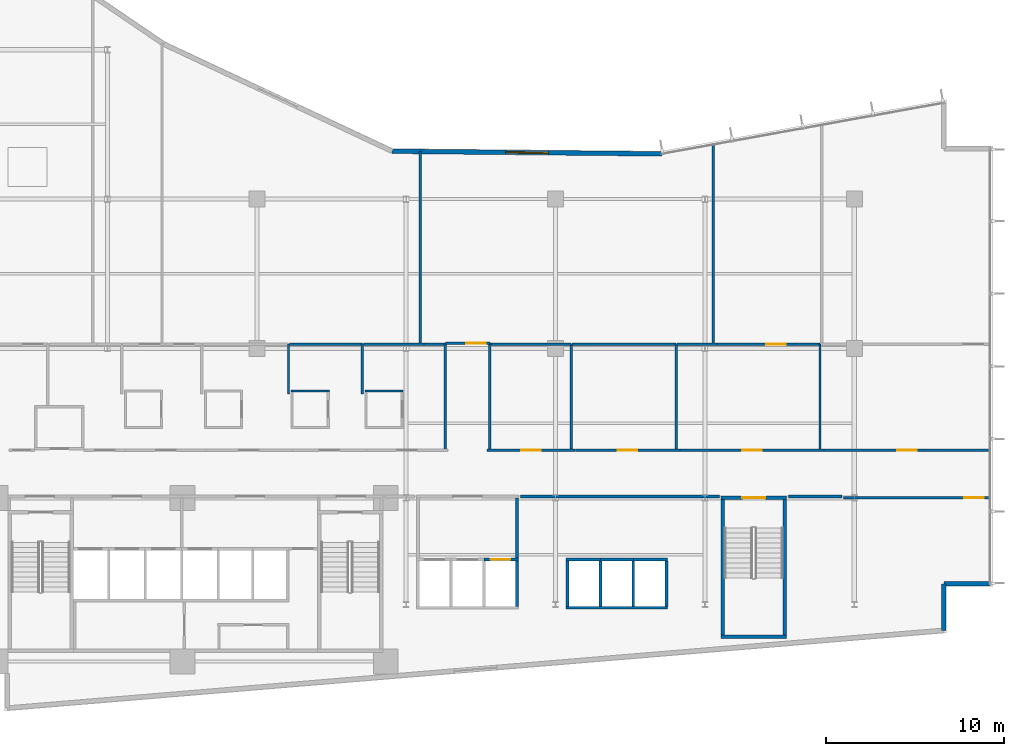
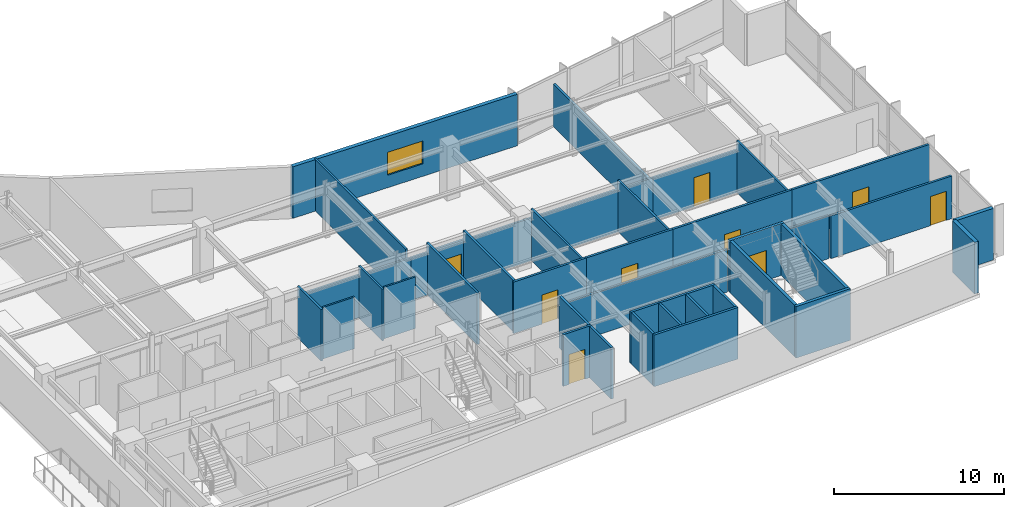
# One storey, part 15 of 21: 44 walls, 9 doors, 1 window, 10 openings.
"""IFC4 building model written with IfcOpenShell, lengths in metres."""

from ifc_helpers import new_model, si_unit, direction, frame, frame_2d, origin, place, context, subcontext, project, spatial, rectangle, extrude, material, layer, layer_set, type_object, element, fill, save


model = new_model("IFC4")

# Units and contexts
model_context = context("Model", 3, precision=1e-05, world=origin(), true_north=direction((0.0, 1.0)))
body_context = subcontext(model_context, "Body", "Model", "MODEL_VIEW")
ifc_project = project(units=[si_unit("LENGTHUNIT", "METRE"), si_unit("AREAUNIT", "SQUARE_METRE"), si_unit("VOLUMEUNIT", "CUBIC_METRE"), si_unit("PLANEANGLEUNIT", "RADIAN"), si_unit("MASSUNIT", "GRAM", prefix="KILO")], contexts=[model_context])

# Site, building, storey
site_placement = place(None, origin())
site = spatial("IfcSite", under=ifc_project, at=site_placement, CompositionType="ELEMENT")
building_placement = place(site_placement, origin())
building = spatial("IfcBuilding", under=site, at=building_placement, Name="Varnakote Quay Hospital", CompositionType="ELEMENT")
storey_placement = place(building_placement, frame((0.0, 0.0, 77.800048828125)))
storey = spatial("IfcBuildingStorey", under=building, at=storey_placement, Name="L19", CompositionType="ELEMENT", Elevation=77.800048828125)

# Walls
ifc_material_1 = material(Name="Fire-rated acoustic gypsum stud wall", Category="gypsum")
ifc_layer_1 = layer(ifc_material_1, 0.159912109375)
ifc_layer_set_1 = layer_set([ifc_layer_1], Name="Fire-rated acoustic gypsum stud wall")
wall_type_1 = type_object("IfcWallType", Name="WL-COMP-160", PredefinedType="PARTITIONING", material=ifc_layer_set_1)
wall_1_placement = place(storey_placement, frame((31.429931640625, 8.610107421875, 0.0), z_axis=(0.0, 0.0, 1.0), x_axis=(0.0, 1.0, 0.0)))
element("IfcWall", 1, at=wall_1_placement, inside=storey, type_object=wall_type_1, Name="L19 Low-Rise Lift Lobby East Wall", PredefinedType="PARTITIONING", context=body_context, shape_type="SweptSolid", body=[
    extrude(rectangle(XDim=3.389892578125, YDim=0.159912109375, at=frame_2d((1.69482421875, 0.0))), origin(), (0.0, 0.0, 1.0), 3.7099609375),
])
wall_2_placement = place(storey_placement, frame((31.6298828125, 12.080078125, 0.0), z_axis=(0.0, 0.0, 1.0), x_axis=(1.0, 0.0, 0.0)))
element("IfcWall", 2, at=wall_2_placement, inside=storey, type_object=wall_type_1, Name="L19 Corridor South Gap Wall", PredefinedType="PARTITIONING", context=body_context, shape_type="SweptSolid", body=[
    extrude(rectangle(XDim=11.180908203125, YDim=0.159912109375, at=frame_2d((5.59033203125, 0.0))), origin(), (0.0, 0.0, 1.0), 3.072998046875),
])
wall_3_placement = place(storey_placement, frame((46.689208984375, 12.080078125, 0.0), z_axis=(0.0, 0.0, 1.0), x_axis=(1.0, 0.0, 0.0)))
element("IfcWall", 3, at=wall_3_placement, inside=storey, type_object=wall_type_1, Name="L19 Corridor South Gap Wall", PredefinedType="PARTITIONING", context=body_context, shape_type="SweptSolid", body=[
    extrude(rectangle(XDim=3.0107421875, YDim=0.159912109375, at=frame_2d((1.50537109375, 0.0))), origin(), (0.0, 0.0, 1.0), 3.072998046875),
])
ifc_material_2 = material(Name="Moisture-resistant bathroom partition", Category="gypsum")
ifc_layer_2 = layer(ifc_material_2, 0.114990234375)
ifc_layer_set_2 = layer_set([ifc_layer_2], Name="Moisture-resistant bathroom partition")
wall_type_2 = type_object("IfcWallType", Name="WL-ENS-115", PredefinedType="PARTITIONING", material=ifc_layer_set_2)
for number, where, z_axis, x_axis, name in (
    (4, (18.72509765625, 18.017578125, 0.0), (0.0, 0.0, 1.0), (1.0, 0.0, 0.0), "L19 Inpatient En-Suite Bathroom 03 N Wall"),
    (5, (22.875, 18.017578125, 0.0), (0.0, 0.0, 1.0), (1.0, 0.0, 0.0), "L19 Inpatient En-Suite Bathroom 04 N Wall"),
):
    element("IfcWall", number, at=place(storey_placement, frame(where, z_axis=z_axis, x_axis=x_axis)), inside=storey, type_object=wall_type_2, Name=name, PredefinedType="PARTITIONING", context=body_context, shape_type="SweptSolid", body=[
        extrude(rectangle(XDim=2.14990234375, YDim=0.114990234375, at=frame_2d((1.074951171875, 0.0))), origin(), (0.0, 0.0, 1.0), 3.7099609375),
    ])
ifc_material_3 = material(Name="Precast concrete N50 (f'c 50 MPa)", Category="concrete")
ifc_layer_3 = layer(ifc_material_3, 0.260009765625)
ifc_layer_set_3 = layer_set([ifc_layer_3], Name="Precast concrete N50 (f'c 50 MPa)")
wall_type_3 = type_object("IfcWallType", Name="WL-EXT-BRICK-260", PredefinedType="STANDARD", material=ifc_layer_set_3)
wall_4_placement = place(storey_placement, frame((55.43994140625, 4.54736328125, 0.0), z_axis=(0.0, 0.0, 1.0), x_axis=(0.0, 1.0, 0.0)))
element("IfcWall", 6, at=wall_4_placement, inside=storey, type_object=wall_type_3, Name="L19 Brick-Faced Precast Exterior Wall", PredefinedType="STANDARD", context=body_context, shape_type="SweptSolid", body=[
    extrude(rectangle(XDim=2.612548828125, YDim=0.260009765625, at=frame_2d((1.30615234375, 0.0))), origin(), (0.0, 0.0, 1.0), 3.7099609375),
])
wall_5_placement = place(storey_placement, frame((55.43994140625, 7.159912109375, 0.0), z_axis=(0.0, 0.0, 1.0), x_axis=(1.0, 0.0, 0.0)))
element("IfcWall", 7, at=wall_5_placement, inside=storey, type_object=wall_type_3, Name="L19 Brick-Faced Precast Exterior Wall", PredefinedType="STANDARD", context=body_context, shape_type="SweptSolid", body=[
    extrude(rectangle(XDim=2.60009765625, YDim=0.260009765625, at=frame_2d((1.300048828125, 0.0))), origin(), (0.0, 0.0, 1.0), 3.7099609375),
])

# Wall, opening, window
wall_6_placement = place(storey_placement, frame((39.589599609375, 31.343994140625, 0.0), z_axis=(0.0, 0.0, 1.0), x_axis=(-0.999952362926, 0.009760731435, 0.0)))
wall_6 = element("IfcWall", 8, at=wall_6_placement, inside=storey, type_object=wall_type_3, Name="L19 Brick-Faced Precast Exterior Wall", PredefinedType="STANDARD", context=body_context, shape_type="SweptSolid", body=[
    extrude(rectangle(XDim=15.1826171875, YDim=0.260009765625, at=frame_2d((7.59130859375, 0.0))), origin(), (0.0, 0.0, 1.0), 3.7099609375),
])
opening_1_placement = place(wall_6_placement, frame((6.391357421875, 0.0, 0.89990234375)))
opening_1 = element("IfcOpeningElement", 9, at=opening_1_placement, cuts=wall_6, Name="Opening WN-0091", PredefinedType="OPENING", context=body_context, shape_type="SweptSolid", body=[
    extrude(rectangle(XDim=2.39990234375, YDim=1.64990234375, at=frame_2d((1.199951171875, 0.824951171875))), frame((0.0, 0.139892578125, 0.0), z_axis=(0.0, -1.0, 0.0), x_axis=(1.0, 0.0, 0.0)), (0.0, 0.0, 1.0), 0.280029296875),
])
ifc_material_4 = material(Name="Double-glazed low-E solar glass", Category="glass")
window_type = type_object("IfcWindowType", Name="WIN-CLIN-2400x1650", PartitioningType="SINGLE_PANEL", PredefinedType="WINDOW", material=ifc_material_4)
window_placement = place(opening_1_placement, origin())
window = element("IfcWindow", 10, at=window_placement, inside=storey, type_object=window_type, Name="L19 Solar-Control Clinical Window", OverallHeight=1.64990234375, OverallWidth=2.39990234375, PartitioningType="SINGLE_PANEL", PredefinedType="WINDOW", context=body_context, shape_type="SweptSolid", body=[
    extrude(rectangle(XDim=2.39990234375, YDim=1.64990234375, at=frame_2d((1.199951171875, 0.824951171875))), frame((0.0, 0.030029296875, 0.0), z_axis=(0.0, -1.0, 0.0), x_axis=(1.0, 0.0, 0.0)), (0.0, 0.0, 1.0), 0.06005859375),
])
fill(opening_1, window)

# Walls
ifc_material_5 = material(Name="Concrete N50 (f'c 50 MPa)", Category="concrete")
ifc_layer_4 = layer(ifc_material_5, 0.14990234375)
ifc_layer_set_4 = layer_set([ifc_layer_4], Name="Concrete N50 (f'c 50 MPa)")
wall_type_4 = type_object("IfcWallType", Name="WL-SHAFT-N50-150", PredefinedType="SHEAR", material=ifc_layer_set_4)
for number, where, z_axis, x_axis, name in (
    (11, (36.125, 5.89990234375, 0.0), (0.0, 0.0, 1.0), (0.0, 1.0, 0.0), "L19 LF-PM1 Hoistway Divider Wall"),
    (12, (37.97509765625, 5.89990234375, 0.0), (0.0, 0.0, 1.0), (0.0, 1.0, 0.0), "L19 LF-PM2 Hoistway Divider Wall"),
):
    element("IfcWall", number, at=place(storey_placement, frame(where, z_axis=z_axis, x_axis=x_axis)), inside=storey, type_object=wall_type_4, Name=name, PredefinedType="SHEAR", context=body_context, shape_type="SweptSolid", body=[
        extrude(rectangle(XDim=2.550048828125, YDim=0.14990234375, at=frame_2d((1.27490234375, 0.0))), origin(), (0.0, 0.0, 1.0), 3.7099609375),
    ])
ifc_material_6 = material(Name="Concrete N50 (f'c 50 MPa)", Category="concrete")
ifc_layer_5 = layer(ifc_material_6, 0.159912109375)
ifc_layer_set_5 = layer_set([ifc_layer_5], Name="Concrete N50 (f'c 50 MPa)")
wall_type_5 = type_object("IfcWallType", Name="WL-SHAFT-N50-160", PredefinedType="SHEAR", material=ifc_layer_set_5)
wall_7_placement = place(storey_placement, frame((31.429931640625, 5.89990234375, 0.0), z_axis=(0.0, 0.0, 1.0), x_axis=(0.0, 1.0, 0.0)))
element("IfcWall", 13, at=wall_7_placement, inside=storey, type_object=wall_type_5, Name="L19 LOW Lift Bank East Shear Wall", PredefinedType="SHEAR", context=body_context, shape_type="SweptSolid", body=[
    extrude(rectangle(XDim=2.550048828125, YDim=0.159912109375, at=frame_2d((1.27490234375, 0.0))), origin(), (0.0, 0.0, 1.0), 3.7099609375),
])

# Wall, opening, door
wall_8_placement = place(storey_placement, frame((29.574951171875, 8.530029296875, 0.0), z_axis=(0.0, 0.0, 1.0), x_axis=(1.0, 0.0, 0.0)))
wall_8 = element("IfcWall", 14, at=wall_8_placement, inside=storey, type_object=wall_type_5, Name="L19 LF-PL3 Hoistway Front Wall", PredefinedType="SHEAR", context=body_context, shape_type="SweptSolid", body=[
    extrude(rectangle(XDim=1.93505859375, YDim=0.159912109375, at=frame_2d((0.967529296875, 0.0))), origin(), (0.0, 0.0, 1.0), 3.7099609375),
])
opening_2_placement = place(wall_8_placement, frame((0.375, 0.0, 0.0)))
opening_2 = element("IfcOpeningElement", 15, at=opening_2_placement, cuts=wall_8, Name="Opening LD-PL3-L19", PredefinedType="OPENING", context=body_context, shape_type="SweptSolid", body=[
    extrude(rectangle(XDim=1.10009765625, YDim=2.14990234375, at=frame_2d((0.550048828125, 1.074951171875))), frame((0.0, 0.08984375, 0.0), z_axis=(0.0, -1.0, 0.0), x_axis=(1.0, 0.0, 0.0)), (0.0, 0.0, 1.0), 0.179931640625),
])
ifc_material_7 = material(Name="Brushed bronze lift landing sliding door")
door_type_1 = type_object("IfcDoorType", Name="DR-LIFT-LD-1100x2150", OperationType="NOTDEFINED", PredefinedType="DOOR", material=ifc_material_7)
door_1_placement = place(opening_2_placement, origin())
door_1 = element("IfcDoor", 16, at=door_1_placement, inside=storey, type_object=door_type_1, Name="L19 LF-PL3 Lift Landing Sliding Door", OperationType="SLIDING_TO_LEFT", OverallHeight=2.14990234375, OverallWidth=1.10009765625, PredefinedType="DOOR", context=body_context, shape_type="SweptSolid", body=[
    extrude(rectangle(XDim=1.10009765625, YDim=2.14990234375, at=frame_2d((0.550048828125, 1.074951171875))), frame((0.0, 0.02490234375, 0.0), z_axis=(0.0, -1.0, 0.0), x_axis=(1.0, 0.0, 0.0)), (0.0, 0.0, 1.0), 0.050048828125),
])
fill(opening_2, door_1)

# Walls
wall_9_placement = place(storey_placement, frame((34.18994140625, 5.820068359375, 0.0), z_axis=(0.0, 0.0, 1.0), x_axis=(1.0, 0.0, 0.0)))
element("IfcWall", 17, at=wall_9_placement, inside=storey, type_object=wall_type_5, Name="L19 MID Lift Bank Back Shear Wall", PredefinedType="SHEAR", context=body_context, shape_type="SweptSolid", body=[
    extrude(rectangle(XDim=5.719970703125, YDim=0.159912109375, at=frame_2d((2.85986328125, 0.0))), origin(), (0.0, 0.0, 1.0), 3.7099609375),
])
for number, where, z_axis, x_axis, name in (
    (18, (34.27001953125, 5.89990234375, 0.0), (0.0, 0.0, 1.0), (0.0, 1.0, 0.0), "L19 MID Lift Bank West Shear Wall"),
    (19, (39.830078125, 5.89990234375, 0.0), (0.0, 0.0, 1.0), (0.0, 1.0, 0.0), "L19 MID Lift Bank East Shear Wall"),
):
    element("IfcWall", number, at=place(storey_placement, frame(where, z_axis=z_axis, x_axis=x_axis)), inside=storey, type_object=wall_type_5, Name=name, PredefinedType="SHEAR", context=body_context, shape_type="SweptSolid", body=[
        extrude(rectangle(XDim=2.550048828125, YDim=0.159912109375, at=frame_2d((1.27490234375, 0.0))), origin(), (0.0, 0.0, 1.0), 3.7099609375),
    ])
wall_10_placement = place(storey_placement, frame((34.18994140625, 8.530029296875, 0.0), z_axis=(0.0, 0.0, 1.0), x_axis=(1.0, 0.0, 0.0)))
element("IfcWall", 20, at=wall_10_placement, inside=storey, type_object=wall_type_5, Name="L19 LF-PM1 Hoistway Front Wall", PredefinedType="SHEAR", context=body_context, shape_type="SweptSolid", body=[
    extrude(rectangle(XDim=1.93505859375, YDim=0.159912109375, at=frame_2d((0.967529296875, 0.0))), origin(), (0.0, 0.0, 1.0), 3.7099609375),
])
wall_11_placement = place(storey_placement, frame((36.125, 8.530029296875, 0.0), z_axis=(0.0, 0.0, 1.0), x_axis=(1.0, 0.0, 0.0)))
element("IfcWall", 21, at=wall_11_placement, inside=storey, type_object=wall_type_5, Name="L19 LF-PM2 Hoistway Front Wall", PredefinedType="SHEAR", context=body_context, shape_type="SweptSolid", body=[
    extrude(rectangle(XDim=1.85009765625, YDim=0.159912109375, at=frame_2d((0.925048828125, 0.0))), origin(), (0.0, 0.0, 1.0), 3.7099609375),
])
wall_12_placement = place(storey_placement, frame((37.97509765625, 8.530029296875, 0.0), z_axis=(0.0, 0.0, 1.0), x_axis=(1.0, 0.0, 0.0)))
element("IfcWall", 22, at=wall_12_placement, inside=storey, type_object=wall_type_5, Name="L19 LF-PM3 Hoistway Front Wall", PredefinedType="SHEAR", context=body_context, shape_type="SweptSolid", body=[
    extrude(rectangle(XDim=1.934814453125, YDim=0.159912109375, at=frame_2d((0.96728515625, 0.0))), origin(), (0.0, 0.0, 1.0), 3.7099609375),
])
ifc_material_8 = material(Name="Concrete N50 (f'c 50 MPa)", Category="concrete")
ifc_layer_6 = layer(ifc_material_8, 0.199951171875)
ifc_layer_set_6 = layer_set([ifc_layer_6], Name="Concrete N50 (f'c 50 MPa)")
wall_type_6 = type_object("IfcWallType", Name="WL-SHAFT-N50-200", PredefinedType="SHEAR", material=ifc_layer_set_6)
wall_13_placement = place(storey_placement, frame((42.89990234375, 4.199951171875, 0.0), z_axis=(0.0, 0.0, 1.0), x_axis=(1.0, 0.0, 0.0)))
element("IfcWall", 23, at=wall_13_placement, inside=storey, type_object=wall_type_6, Name="L19 Stair ST3 South Shaft Wall", PredefinedType="SHEAR", context=body_context, shape_type="SweptSolid", body=[
    extrude(rectangle(XDim=3.7001953125, YDim=0.199951171875, at=frame_2d((1.85009765625, 0.0))), origin(), (0.0, 0.0, 1.0), 3.7099609375),
])
for number, where, z_axis, x_axis, name in (
    (24, (43.0, 4.300048828125, 0.0), (0.0, 0.0, 1.0), (0.0, 1.0, 0.0), "L19 Stair ST3 West Shaft Wall"),
    (25, (46.5, 4.300048828125, 0.0), (0.0, 0.0, 1.0), (0.0, 1.0, 0.0), "L19 Stair ST3 East Shaft Wall"),
):
    element("IfcWall", number, at=place(storey_placement, frame(where, z_axis=z_axis, x_axis=x_axis)), inside=storey, type_object=wall_type_6, Name=name, PredefinedType="SHEAR", context=body_context, shape_type="SweptSolid", body=[
        extrude(rectangle(XDim=7.599853515625, YDim=0.199951171875, at=frame_2d((3.7998046875, 0.0))), origin(), (0.0, 0.0, 1.0), 3.7099609375),
    ])

# Wall, opening, door
wall_14_placement = place(storey_placement, frame((42.89990234375, 12.0, 0.0), z_axis=(0.0, 0.0, 1.0), x_axis=(1.0, 0.0, 0.0)))
wall_14 = element("IfcWall", 26, at=wall_14_placement, inside=storey, type_object=wall_type_6, Name="L19 Stair ST3 Exit Wall", PredefinedType="SHEAR", context=body_context, shape_type="SweptSolid", body=[
    extrude(rectangle(XDim=3.7001953125, YDim=0.199951171875, at=frame_2d((1.85009765625, 0.0))), origin(), (0.0, 0.0, 1.0), 3.7099609375),
])
opening_3_placement = place(wall_14_placement, frame((1.199951171875, 0.0, 0.0)))
opening_3 = element("IfcOpeningElement", 27, at=opening_3_placement, cuts=wall_14, Name="Opening D-ST3-L19", PredefinedType="OPENING", context=body_context, shape_type="SweptSolid", body=[
    extrude(rectangle(XDim=1.300048828125, YDim=2.14990234375, at=frame_2d((0.64990234375, 1.074951171875))), frame((0.0, 0.10986328125, 0.0), z_axis=(0.0, -1.0, 0.0), x_axis=(1.0, 0.0, 0.0)), (0.0, 0.0, 1.0), 0.219970703125),
])
ifc_material_9 = material(Name="Fire-rated ceramic-glazed timber exit door", Category="wood")
door_type_2 = type_object("IfcDoorType", Name="DR-STAIR-FD60S-1300x2150", OperationType="NOTDEFINED", PredefinedType="DOOR", material=ifc_material_9)
door_2_placement = place(opening_3_placement, origin())
door_2 = element("IfcDoor", 28, at=door_2_placement, inside=storey, type_object=door_type_2, Name="L19 Stair ST3 Fire Exit Door", OperationType="SINGLE_SWING_RIGHT", OverallHeight=2.14990234375, OverallWidth=1.300048828125, PredefinedType="DOOR", context=body_context, shape_type="SweptSolid", body=[
    extrude(rectangle(XDim=1.300048828125, YDim=2.14990234375, at=frame_2d((0.64990234375, 1.074951171875))), frame((0.0, 0.02490234375, 0.0), z_axis=(0.0, -1.0, 0.0), x_axis=(1.0, 0.0, 0.0)), (0.0, 0.0, 1.0), 0.050048828125),
])
fill(opening_3, door_2)

# Walls
ifc_material_10 = material(Name="Smoke-proof clinical partition", Category="gypsum")
ifc_layer_7 = layer(ifc_material_10, 0.135009765625)
ifc_layer_set_7 = layer_set([ifc_layer_7], Name="Smoke-proof clinical partition")
wall_type_7 = type_object("IfcWallType", Name="WL-SMOKE-135", PredefinedType="PARTITIONING", material=ifc_layer_set_7)
for number, where, z_axis, x_axis, name in (
    (29, (18.580078125, 17.83251953125, 0.0), (0.0, 0.0, 1.0), (0.0, 1.0, 0.0), "L19 Clinical Interior Partition"),
    (30, (22.72998046875, 17.83251953125, 0.0), (0.0, 0.0, 1.0), (0.0, 1.0, 0.0), "L19 Clinical Interior Partition"),
):
    element("IfcWall", number, at=place(storey_placement, frame(where, z_axis=z_axis, x_axis=x_axis)), inside=storey, type_object=wall_type_7, Name=name, PredefinedType="PARTITIONING", context=body_context, shape_type="SweptSolid", body=[
        extrude(rectangle(XDim=2.807373046875, YDim=0.135009765625, at=frame_2d((1.40380859375, 0.0))), origin(), (0.0, 0.0, 1.0), 3.7099609375),
    ])
wall_15_placement = place(storey_placement, frame((22.72998046875, 20.639892578125, 0.0), z_axis=(0.0, 0.0, 1.0), x_axis=(-1.0, 0.0, 0.0)))
element("IfcWall", 31, at=wall_15_placement, inside=storey, type_object=wall_type_7, Name="L19 Clinical Interior Partition", PredefinedType="PARTITIONING", context=body_context, shape_type="SweptSolid", body=[
    extrude(rectangle(XDim=4.092529296875, YDim=0.135009765625, at=frame_2d((2.04638671875, 0.0))), origin(), (0.0, 0.0, 1.0), 3.072998046875),
])
wall_16_placement = place(storey_placement, frame((26.197509765625, 20.639892578125, 0.0), z_axis=(0.0, 0.0, 1.0), x_axis=(-1.0, 0.0, 0.0)))
element("IfcWall", 32, at=wall_16_placement, inside=storey, type_object=wall_type_7, Name="L19 Clinical Interior Partition", PredefinedType="PARTITIONING", context=body_context, shape_type="SweptSolid", body=[
    extrude(rectangle(XDim=3.409912109375, YDim=0.135009765625, at=frame_2d((1.705078125, 0.0))), origin(), (0.0, 0.0, 1.0), 3.072998046875),
])
wall_17_placement = place(storey_placement, frame((27.320068359375, 20.639892578125, 0.0), z_axis=(0.0, 0.0, 1.0), x_axis=(-1.0, 0.0, 0.0)))
element("IfcWall", 33, at=wall_17_placement, inside=storey, type_object=wall_type_7, Name="L19 Clinical Interior Partition", PredefinedType="PARTITIONING", context=body_context, shape_type="SweptSolid", body=[
    extrude(rectangle(XDim=1.12060546875, YDim=0.135009765625, at=frame_2d((0.560302734375, 0.0))), origin(), (0.0, 0.0, 1.0), 3.072998046875),
])
wall_18_placement = place(storey_placement, frame((34.47998046875, 14.760009765625, 0.0), z_axis=(0.0, 0.0, 1.0), x_axis=(0.0, 1.0, 0.0)))
element("IfcWall", 34, at=wall_18_placement, inside=storey, type_object=wall_type_7, Name="L19 Clinical Interior Partition", PredefinedType="PARTITIONING", context=body_context, shape_type="SweptSolid", body=[
    extrude(rectangle(XDim=5.8798828125, YDim=0.135009765625, at=frame_2d((2.93994140625, 0.0))), origin(), (0.0, 0.0, 1.0), 3.7099609375),
])
wall_19_placement = place(storey_placement, frame((34.47998046875, 20.639892578125, 0.0), z_axis=(0.0, 0.0, 1.0), x_axis=(-1.0, 0.0, 0.0)))
element("IfcWall", 35, at=wall_19_placement, inside=storey, type_object=wall_type_7, Name="L19 Clinical Interior Partition", PredefinedType="PARTITIONING", context=body_context, shape_type="SweptSolid", body=[
    extrude(rectangle(XDim=4.514892578125, YDim=0.135009765625, at=frame_2d((2.25732421875, 0.0))), origin(), (0.0, 0.0, 1.0), 3.072998046875),
])
wall_20_placement = place(storey_placement, frame((40.3798828125, 14.760009765625, 0.0), z_axis=(0.0, 0.0, 1.0), x_axis=(0.0, 1.0, 0.0)))
element("IfcWall", 36, at=wall_20_placement, inside=storey, type_object=wall_type_7, Name="L19 Clinical Interior Partition", PredefinedType="PARTITIONING", context=body_context, shape_type="SweptSolid", body=[
    extrude(rectangle(XDim=5.8798828125, YDim=0.135009765625, at=frame_2d((2.93994140625, 0.0))), origin(), (0.0, 0.0, 1.0), 3.7099609375),
])
wall_21_placement = place(storey_placement, frame((40.3798828125, 20.639892578125, 0.0), z_axis=(0.0, 0.0, 1.0), x_axis=(-1.0, 0.0, 0.0)))
element("IfcWall", 37, at=wall_21_placement, inside=storey, type_object=wall_type_7, Name="L19 Clinical Interior Partition", PredefinedType="PARTITIONING", context=body_context, shape_type="SweptSolid", body=[
    extrude(rectangle(XDim=5.84228515625, YDim=0.135009765625, at=frame_2d((2.921142578125, 0.0))), origin(), (0.0, 0.0, 1.0), 3.072998046875),
])
wall_22_placement = place(storey_placement, frame((48.469970703125, 14.760009765625, 0.0), z_axis=(0.0, 0.0, 1.0), x_axis=(0.0, 1.0, 0.0)))
element("IfcWall", 38, at=wall_22_placement, inside=storey, type_object=wall_type_7, Name="L19 Clinical Interior Partition", PredefinedType="PARTITIONING", context=body_context, shape_type="SweptSolid", body=[
    extrude(rectangle(XDim=5.8798828125, YDim=0.135009765625, at=frame_2d((2.93994140625, 0.0))), origin(), (0.0, 0.0, 1.0), 3.7099609375),
])
wall_23_placement = place(storey_placement, frame((42.6875, 20.639892578125, 0.0), z_axis=(0.0, 0.0, 1.0), x_axis=(-1.0, 0.0, 0.0)))
element("IfcWall", 39, at=wall_23_placement, inside=storey, type_object=wall_type_7, Name="L19 Clinical Interior Partition", PredefinedType="PARTITIONING", context=body_context, shape_type="SweptSolid", body=[
    extrude(rectangle(XDim=2.25, YDim=0.135009765625, at=frame_2d((1.125, 0.0))), origin(), (0.0, 0.0, 1.0), 3.072998046875),
])

# Wall, opening, door
wall_24_placement = place(storey_placement, frame((48.469970703125, 20.639892578125, 0.0), z_axis=(0.0, 0.0, 1.0), x_axis=(-1.0, 0.0, 0.0)))
wall_24 = element("IfcWall", 40, at=wall_24_placement, inside=storey, type_object=wall_type_7, Name="L19 Clinical Interior Partition", PredefinedType="PARTITIONING", context=body_context, shape_type="SweptSolid", body=[
    extrude(rectangle(XDim=5.780517578125, YDim=0.135009765625, at=frame_2d((2.89013671875, 0.0))), origin(), (0.0, 0.0, 1.0), 3.072998046875),
])
opening_4_placement = place(wall_24_placement, frame((1.912109375, 0.0, 0.0)))
opening_4 = element("IfcOpeningElement", 41, at=opening_4_placement, cuts=wall_24, Name="Opening D-L19-MD09", PredefinedType="OPENING", context=body_context, shape_type="SweptSolid", body=[
    extrude(rectangle(XDim=1.10009765625, YDim=2.10009765625, at=frame_2d((0.550048828125, 1.050048828125))), frame((0.0, 0.077392578125, 0.0), z_axis=(0.0, -1.0, 0.0), x_axis=(1.0, 0.0, 0.0)), (0.0, 0.0, 1.0), 0.155029296875),
])
ifc_material_11 = material(Name="Acoustic timber clinical consult door", Category="wood")
door_type_3 = type_object("IfcDoorType", Name="DR-CLIN-FD30S-1100x2100", OperationType="NOTDEFINED", PredefinedType="DOOR", material=ifc_material_11)
door_3_placement = place(opening_4_placement, origin())
door_3 = element("IfcDoor", 42, at=door_3_placement, inside=storey, type_object=door_type_3, Name="L19 Clinical Simulation Teaching Room Door", OperationType="SINGLE_SWING_RIGHT", OverallHeight=2.10009765625, OverallWidth=1.10009765625, PredefinedType="DOOR", context=body_context, shape_type="SweptSolid", body=[
    extrude(rectangle(XDim=1.10009765625, YDim=2.10009765625, at=frame_2d((0.550048828125, 1.050048828125))), frame((0.0, 0.02490234375, 0.0), z_axis=(0.0, -1.0, 0.0), x_axis=(1.0, 0.0, 0.0)), (0.0, 0.0, 1.0), 0.050048828125),
])
fill(opening_4, door_3)

# Walls
wall_25_placement = place(storey_placement, frame((25.989990234375, 20.697509765625, 0.0), z_axis=(0.0, 0.0, 1.0), x_axis=(0.0, 1.0, 0.0)))
element("IfcWall", 43, at=wall_25_placement, inside=storey, type_object=wall_type_7, Name="L19 Clinical Interior Partition", PredefinedType="PARTITIONING", context=body_context, shape_type="SweptSolid", body=[
    extrude(rectangle(XDim=10.779296875, YDim=0.135009765625, at=frame_2d((5.3896484375, 0.0))), origin(), (0.0, 0.0, 1.0), 3.7099609375),
])
wall_26_placement = place(storey_placement, frame((42.47998046875, 20.697509765625, 0.0), z_axis=(0.0, 0.0, 1.0), x_axis=(0.0, 1.0, 0.0)))
element("IfcWall", 44, at=wall_26_placement, inside=storey, type_object=wall_type_7, Name="L19 Clinical Interior Partition", PredefinedType="PARTITIONING", context=body_context, shape_type="SweptSolid", body=[
    extrude(rectangle(XDim=11.168701171875, YDim=0.135009765625, at=frame_2d((5.58447265625, 0.0))), origin(), (0.0, 0.0, 1.0), 3.072998046875),
])

# Wall, opening, door
ifc_material_12 = material(Name="Fire-rated clinical gypsum partition", Category="gypsum")
ifc_layer_8 = layer(ifc_material_12, 0.14990234375)
ifc_layer_set_8 = layer_set([ifc_layer_8], Name="Fire-rated clinical gypsum partition")
wall_type_8 = type_object("IfcWallType", Name="WL-WARD-150", PredefinedType="PARTITIONING", material=ifc_layer_set_8)
wall_27_placement = place(storey_placement, frame((58.0400390625, 12.0, 0.0), z_axis=(0.0, 0.0, 1.0), x_axis=(-1.0, 0.0, 0.0)))
wall_27 = element("IfcWall", 45, at=wall_27_placement, inside=storey, type_object=wall_type_8, Name="L19 Clinical Interior Partition", PredefinedType="PARTITIONING", context=body_context, shape_type="SweptSolid", body=[
    extrude(rectangle(XDim=8.239990234375, YDim=0.14990234375, at=frame_2d((4.1201171875, 0.0))), origin(), (0.0, 0.0, 1.0), 3.072998046875),
])
opening_5_placement = place(wall_27_placement, frame((0.368408203125, 0.0, 0.0)))
opening_5 = element("IfcOpeningElement", 46, at=opening_5_placement, cuts=wall_27, Name="Opening D-L19-SE1", PredefinedType="OPENING", context=body_context, shape_type="SweptSolid", body=[
    extrude(rectangle(XDim=1.10009765625, YDim=2.10009765625, at=frame_2d((0.550048828125, 1.050048828125))), frame((0.0, 0.0849609375, 0.0), z_axis=(0.0, -1.0, 0.0), x_axis=(1.0, 0.0, 0.0)), (0.0, 0.0, 1.0), 0.169921875),
])
door_4_placement = place(opening_5_placement, origin())
door_4 = element("IfcDoor", 47, at=door_4_placement, inside=storey, type_object=door_type_3, Name="L19 Clinical Biomedical Engineering Office Door", OperationType="SINGLE_SWING_LEFT", OverallHeight=2.10009765625, OverallWidth=1.10009765625, PredefinedType="DOOR", context=body_context, shape_type="SweptSolid", body=[
    extrude(rectangle(XDim=1.10009765625, YDim=2.10009765625, at=frame_2d((0.550048828125, 1.050048828125))), frame((0.0, 0.02490234375, 0.0), z_axis=(0.0, -1.0, 0.0), x_axis=(1.0, 0.0, 0.0)), (0.0, 0.0, 1.0), 0.050048828125),
])
fill(opening_5, door_4)

wall_28_placement = place(storey_placement, frame((34.7060546875, 14.679931640625, 0.0), z_axis=(0.0, 0.0, 1.0), x_axis=(-1.0, 0.0, 0.0)))
wall_28 = element("IfcWall", 48, at=wall_28_placement, inside=storey, type_object=wall_type_8, Name="L19 Clinical Interior Partition", PredefinedType="PARTITIONING", context=body_context, shape_type="SweptSolid", body=[
    extrude(rectangle(XDim=4.9521484375, YDim=0.14990234375, at=frame_2d((2.47607421875, 0.0))), origin(), (0.0, 0.0, 1.0), 3.7099609375),
])
opening_6_placement = place(wall_28_placement, frame((1.926025390625, 0.0, 0.0)))
opening_6 = element("IfcOpeningElement", 49, at=opening_6_placement, cuts=wall_28, Name="Opening D-L19-MD03", PredefinedType="OPENING", context=body_context, shape_type="SweptSolid", body=[
    extrude(rectangle(XDim=1.10009765625, YDim=2.10009765625, at=frame_2d((0.550048828125, 1.050048828125))), frame((0.0, 0.0849609375, 0.0), z_axis=(0.0, -1.0, 0.0), x_axis=(1.0, 0.0, 0.0)), (0.0, 0.0, 1.0), 0.169921875),
])
door_5_placement = place(opening_6_placement, origin())
door_5 = element("IfcDoor", 50, at=door_5_placement, inside=storey, type_object=door_type_3, Name="L19 Nursing Education Meeting Room Door", OperationType="SINGLE_SWING_RIGHT", OverallHeight=2.10009765625, OverallWidth=1.10009765625, PredefinedType="DOOR", context=body_context, shape_type="SweptSolid", body=[
    extrude(rectangle(XDim=1.10009765625, YDim=2.10009765625, at=frame_2d((0.550048828125, 1.050048828125))), frame((0.0, 0.02490234375, 0.0), z_axis=(0.0, -1.0, 0.0), x_axis=(1.0, 0.0, 0.0)), (0.0, 0.0, 1.0), 0.050048828125),
])
fill(opening_6, door_5)

wall_29_placement = place(storey_placement, frame((40.60595703125, 14.679931640625, 0.0), z_axis=(0.0, 0.0, 1.0), x_axis=(-1.0, 0.0, 0.0)))
wall_29 = element("IfcWall", 51, at=wall_29_placement, inside=storey, type_object=wall_type_8, Name="L19 Clinical Interior Partition", PredefinedType="PARTITIONING", context=body_context, shape_type="SweptSolid", body=[
    extrude(rectangle(XDim=5.89794921875, YDim=0.14990234375, at=frame_2d((2.948974609375, 0.0))), origin(), (0.0, 0.0, 1.0), 3.7099609375),
])
opening_7_placement = place(wall_29_placement, frame((2.39892578125, 0.0, 0.0)))
opening_7 = element("IfcOpeningElement", 52, at=opening_7_placement, cuts=wall_29, Name="Opening D-L19-MD04", PredefinedType="OPENING", context=body_context, shape_type="SweptSolid", body=[
    extrude(rectangle(XDim=1.10009765625, YDim=2.10009765625, at=frame_2d((0.550048828125, 1.050048828125))), frame((0.0, 0.0849609375, 0.0), z_axis=(0.0, -1.0, 0.0), x_axis=(1.0, 0.0, 0.0)), (0.0, 0.0, 1.0), 0.169921875),
])
door_6_placement = place(opening_7_placement, origin())
door_6 = element("IfcDoor", 53, at=door_6_placement, inside=storey, type_object=door_type_3, Name="L19 Ward Preparation Pantry Door", OperationType="SINGLE_SWING_LEFT", OverallHeight=2.10009765625, OverallWidth=1.10009765625, PredefinedType="DOOR", context=body_context, shape_type="SweptSolid", body=[
    extrude(rectangle(XDim=1.10009765625, YDim=2.10009765625, at=frame_2d((0.550048828125, 1.050048828125))), frame((0.0, 0.02490234375, 0.0), z_axis=(0.0, -1.0, 0.0), x_axis=(1.0, 0.0, 0.0)), (0.0, 0.0, 1.0), 0.050048828125),
])
fill(opening_7, door_6)

wall_30_placement = place(storey_placement, frame((48.696044921875, 14.679931640625, 0.0), z_axis=(0.0, 0.0, 1.0), x_axis=(-1.0, 0.0, 0.0)))
wall_30 = element("IfcWall", 54, at=wall_30_placement, inside=storey, type_object=wall_type_8, Name="L19 Clinical Interior Partition", PredefinedType="PARTITIONING", context=body_context, shape_type="SweptSolid", body=[
    extrude(rectangle(XDim=8.088134765625, YDim=0.14990234375, at=frame_2d((4.0439453125, 0.0))), origin(), (0.0, 0.0, 1.0), 3.7099609375),
])
opening_8_placement = place(wall_30_placement, frame((3.493896484375, 0.0, 0.0)))
opening_8 = element("IfcOpeningElement", 55, at=opening_8_placement, cuts=wall_30, Name="Opening D-L19-MD05", PredefinedType="OPENING", context=body_context, shape_type="SweptSolid", body=[
    extrude(rectangle(XDim=1.10009765625, YDim=2.10009765625, at=frame_2d((0.550048828125, 1.050048828125))), frame((0.0, 0.0849609375, 0.0), z_axis=(0.0, -1.0, 0.0), x_axis=(1.0, 0.0, 0.0)), (0.0, 0.0, 1.0), 0.169921875),
])
door_7_placement = place(opening_8_placement, origin())
door_7 = element("IfcDoor", 56, at=door_7_placement, inside=storey, type_object=door_type_3, Name="L19 Clinical Simulation Teaching Room Door", OperationType="SINGLE_SWING_RIGHT", OverallHeight=2.10009765625, OverallWidth=1.10009765625, PredefinedType="DOOR", context=body_context, shape_type="SweptSolid", body=[
    extrude(rectangle(XDim=1.10009765625, YDim=2.10009765625, at=frame_2d((0.550048828125, 1.050048828125))), frame((0.0, 0.02490234375, 0.0), z_axis=(0.0, -1.0, 0.0), x_axis=(1.0, 0.0, 0.0)), (0.0, 0.0, 1.0), 0.050048828125),
])
fill(opening_8, door_7)

wall_31_placement = place(storey_placement, frame((58.0400390625, 14.679931640625, 0.0), z_axis=(0.0, 0.0, 1.0), x_axis=(-1.0, 0.0, 0.0)))
wall_31 = element("IfcWall", 57, at=wall_31_placement, inside=storey, type_object=wall_type_8, Name="L19 Clinical Interior Partition", PredefinedType="PARTITIONING", context=body_context, shape_type="SweptSolid", body=[
    extrude(rectangle(XDim=9.342041015625, YDim=0.14990234375, at=frame_2d((4.6708984375, 0.0))), origin(), (0.0, 0.0, 1.0), 3.7099609375),
])
opening_9_placement = place(wall_31_placement, frame((4.12109375, 0.0, 0.0)))
opening_9 = element("IfcOpeningElement", 58, at=opening_9_placement, cuts=wall_31, Name="Opening D-L19-MD06", PredefinedType="OPENING", context=body_context, shape_type="SweptSolid", body=[
    extrude(rectangle(XDim=1.10009765625, YDim=2.10009765625, at=frame_2d((0.550048828125, 1.050048828125))), frame((0.0, 0.0849609375, 0.0), z_axis=(0.0, -1.0, 0.0), x_axis=(1.0, 0.0, 0.0)), (0.0, 0.0, 1.0), 0.169921875),
])
door_8_placement = place(opening_9_placement, origin())
door_8 = element("IfcDoor", 59, at=door_8_placement, inside=storey, type_object=door_type_3, Name="L19 Allied Health Teaching Laboratory Door", OperationType="SINGLE_SWING_LEFT", OverallHeight=2.10009765625, OverallWidth=1.10009765625, PredefinedType="DOOR", context=body_context, shape_type="SweptSolid", body=[
    extrude(rectangle(XDim=1.10009765625, YDim=2.10009765625, at=frame_2d((0.550048828125, 1.050048828125))), frame((0.0, 0.02490234375, 0.0), z_axis=(0.0, -1.0, 0.0), x_axis=(1.0, 0.0, 0.0)), (0.0, 0.0, 1.0), 0.050048828125),
])
fill(opening_9, door_8)

# Walls
for number, where, z_axis, x_axis, name in (
    (60, (27.39990234375, 20.699951171875, 0.0), (0.0, 0.0, 1.0), (0.0, -1.0, 0.0), "L19 Clinical Interior Partition"),
    (61, (29.89990234375, 14.699951171875, 0.0), (0.0, 0.0, 1.0), (0.0, 1.0, 0.0), "L19 Clinical Interior Partition"),
):
    element("IfcWall", number, at=place(storey_placement, frame(where, z_axis=z_axis, x_axis=x_axis)), inside=storey, type_object=wall_type_8, Name=name, PredefinedType="PARTITIONING", context=body_context, shape_type="SweptSolid", body=[
        extrude(rectangle(XDim=6.0, YDim=0.14990234375, at=frame_2d((3.0, 0.0))), origin(), (0.0, 0.0, 1.0), 3.7099609375),
    ])

# Wall, opening, door
wall_32_placement = place(storey_placement, frame((29.89990234375, 20.699951171875, 0.0), z_axis=(0.0, 0.0, 1.0), x_axis=(-1.0, 0.0, 0.0)))
wall_32 = element("IfcWall", 62, at=wall_32_placement, inside=storey, type_object=wall_type_8, Name="L19 Clinical Interior Partition", PredefinedType="PARTITIONING", context=body_context, shape_type="SweptSolid", body=[
    extrude(rectangle(XDim=2.5, YDim=0.14990234375, at=frame_2d((1.25, 0.0))), origin(), (0.0, 0.0, 1.0), 3.072998046875),
])
opening_10_placement = place(wall_32_placement, frame((0.22509765625, 0.0, 0.0)))
opening_10 = element("IfcOpeningElement", 63, at=opening_10_placement, cuts=wall_32, Name="Opening D-L19-MD08", PredefinedType="OPENING", context=body_context, shape_type="SweptSolid", body=[
    extrude(rectangle(XDim=1.10009765625, YDim=2.10009765625, at=frame_2d((0.550048828125, 1.050048828125))), frame((0.0, 0.0849609375, 0.0), z_axis=(0.0, -1.0, 0.0), x_axis=(1.0, 0.0, 0.0)), (0.0, 0.0, 1.0), 0.169921875),
])
door_9_placement = place(opening_10_placement, origin())
door_9 = element("IfcDoor", 64, at=door_9_placement, inside=storey, type_object=door_type_3, Name="L19 Ward Preparation Pantry Door", OperationType="SINGLE_SWING_RIGHT", OverallHeight=2.10009765625, OverallWidth=1.10009765625, PredefinedType="DOOR", context=body_context, shape_type="SweptSolid", body=[
    extrude(rectangle(XDim=1.10009765625, YDim=2.10009765625, at=frame_2d((0.550048828125, 1.050048828125))), frame((0.0, 0.02490234375, 0.0), z_axis=(0.0, -1.0, 0.0), x_axis=(1.0, 0.0, 0.0)), (0.0, 0.0, 1.0), 0.050048828125),
])
fill(opening_10, door_9)

save(model, "model.ifc")
